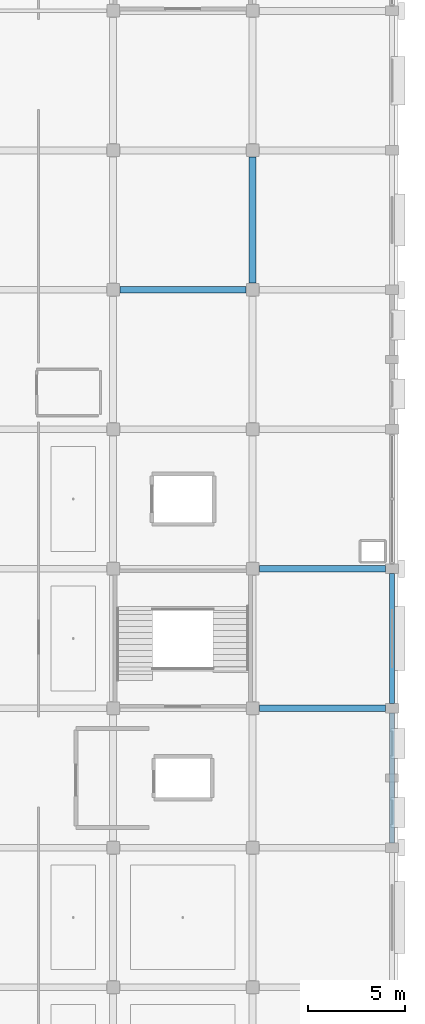
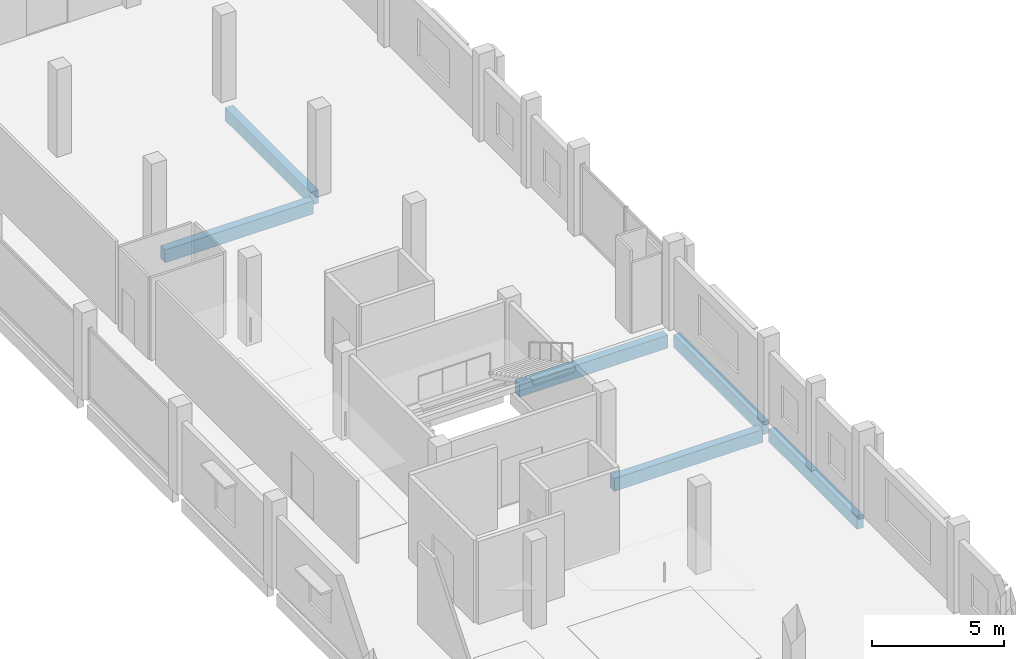
# One storey, part 35 of 77: 6 beams.
"""IFC4 building model written with IfcOpenShell, lengths in metres."""

from ifc_helpers import new_model, si_unit, direction, frame, origin, origin_2d, place, context, subcontext, project, spatial, rectangle, extrude, material, material_profile, profile_set, type_object, element, save


model = new_model("IFC4")

# Units and contexts
model_context = context("Model", 3, precision=1e-05, world=origin(), true_north=direction((0.0, 1.0)))
body_context = subcontext(model_context, "Body", "Model", "MODEL_VIEW")
ifc_project = project(units=[si_unit("LENGTHUNIT", "METRE"), si_unit("AREAUNIT", "SQUARE_METRE"), si_unit("VOLUMEUNIT", "CUBIC_METRE"), si_unit("PLANEANGLEUNIT", "RADIAN"), si_unit("MASSUNIT", "GRAM", prefix="KILO")], contexts=[model_context])

# Site, building, storey
site_placement = place(None, origin())
site = spatial("IfcSite", under=ifc_project, at=site_placement, CompositionType="ELEMENT")
building_placement = place(site_placement, origin())
building = spatial("IfcBuilding", under=site, at=building_placement, Name="Kangsadwip Square Police Headquarters", CompositionType="ELEMENT")
storey_placement = place(building_placement, frame((0.0, 0.0, 17.550048828125)))
storey = spatial("IfcBuildingStorey", under=building, at=storey_placement, Name="L04", CompositionType="ELEMENT", Elevation=17.550048828125)

# Beams
ifc_material_1 = material(Name="Concrete M35 (35 MPa)", Category="concrete")
ifc_material_profile_1 = material_profile(ifc_material_1, rectangle(XDim=0.35009765625, YDim=0.60009765625, at=origin_2d()), Name="RC BM 600X350")
ifc_profile_set_1 = profile_set([ifc_material_profile_1], Name="Concrete M35 (35 MPa)")
beam_type_1 = type_object("IfcBeamType", Name="RcBeam600x350", PredefinedType="BEAM", material=ifc_profile_set_1)
for number, where, z_axis, x_axis, name in (
    (1, (158.75, 57.60009765625, -0.5400390625), (1.0, 0.0, 0.0), (0.0, 1.0, 0.0), "Beam BM-L04-X-22-08"),
    (2, (158.75, 64.800048828125, -0.5400390625), (1.0, 0.0, 0.0), (0.0, 1.0, 0.0), "Beam BM-L04-X-22-09"),
    (3, (151.550048828125, 79.199951171875, -0.5400390625), (1.0, 0.0, 0.0), (0.0, 1.0, 0.0), "Beam BM-L04-X-21-11"),
    (4, (158.39990234375, 79.550048828125, -0.5400390625), (0.0, 1.0, 0.0), (-1.0, 0.0, 0.0), "Beam BM-L04-Y-22-11"),
):
    element("IfcBeam", number, at=place(storey_placement, frame(where, z_axis=z_axis, x_axis=x_axis)), inside=storey, type_object=beam_type_1, Name=name, PredefinedType="BEAM", context=body_context, shape_type="SweptSolid", body=[
        extrude(rectangle(XDim=0.35009765625, YDim=0.60009765625, at=origin_2d()), origin(), (0.0, 0.0, 1.0), 6.5),
    ])
ifc_material_2 = material(Name="Concrete M40 (40 MPa)", Category="concrete")
ifc_material_profile_2 = material_profile(ifc_material_2, rectangle(XDim=0.280029296875, YDim=0.60009765625, at=origin_2d()), Name="RC SPN 600X280")
ifc_profile_set_2 = profile_set([ifc_material_profile_2], Name="Concrete M40 (40 MPa)")
beam_type_2 = type_object("IfcBeamType", Name="RcSpandrel600x280", PredefinedType="SPANDREL", material=ifc_profile_set_2)
beam_1_placement = place(storey_placement, frame((165.60009765625, 50.64990234375, -0.5400390625), z_axis=(0.0, 1.0, 0.0), x_axis=(-1.0, 0.0, 0.0)))
element("IfcBeam", 5, at=beam_1_placement, inside=storey, type_object=beam_type_2, Name="Beam BM-L04-Y-23-07", PredefinedType="SPANDREL", context=body_context, shape_type="SweptSolid", body=[
    extrude(rectangle(XDim=0.280029296875, YDim=0.60009765625, at=origin_2d()), origin(), (0.0, 0.0, 1.0), 6.7001953125),
])
beam_2_placement = place(storey_placement, frame((165.60009765625, 57.85009765625, -0.5400390625), z_axis=(0.0, 1.0, 0.0), x_axis=(-1.0, 0.0, 0.0)))
element("IfcBeam", 6, at=beam_2_placement, inside=storey, type_object=beam_type_2, Name="Beam BM-L04-Y-23-08", PredefinedType="SPANDREL", context=body_context, shape_type="SweptSolid", body=[
    extrude(rectangle(XDim=0.280029296875, YDim=0.60009765625, at=origin_2d()), origin(), (0.0, 0.0, 1.0), 6.699951171875),
])

save(model, "model.ifc")
